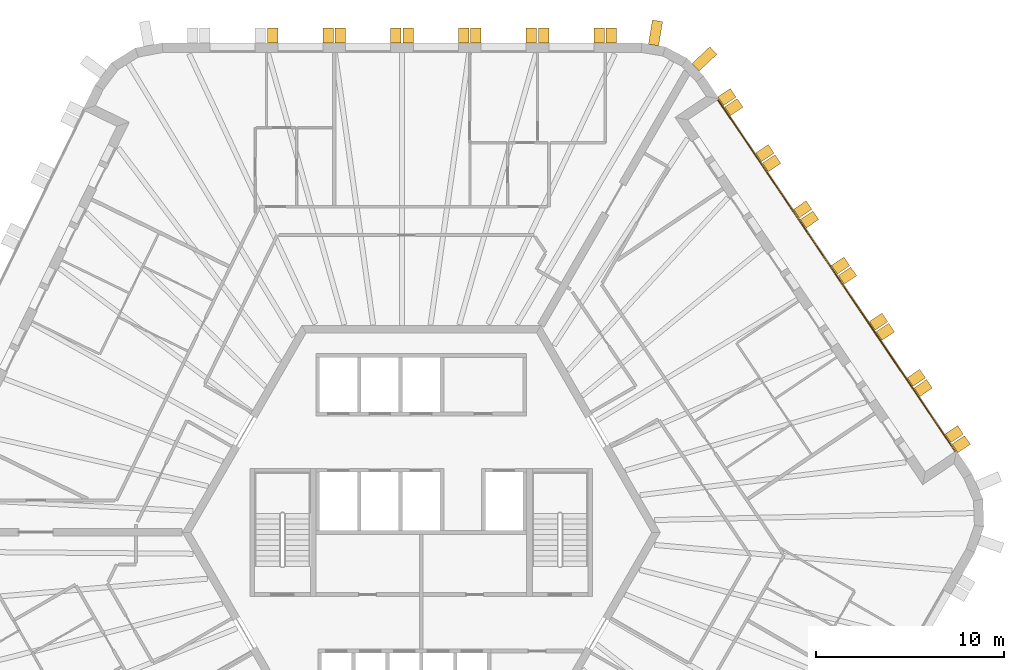
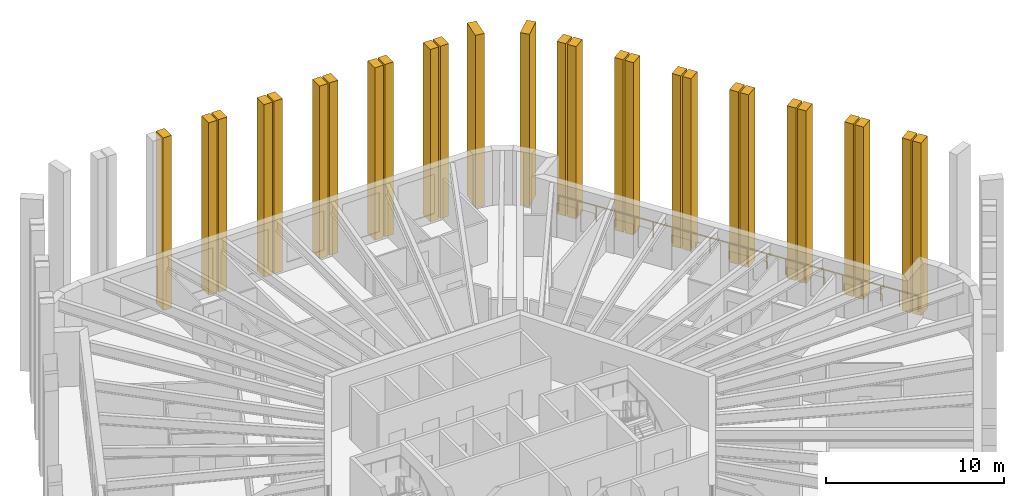
# One storey, part 13 of 13: 27 shading devices, 1 railing.
"""IFC4 building model written with IfcOpenShell, lengths in metres."""

from ifc_helpers import new_model, si_unit, direction, frame, origin, origin_2d, place, context, subcontext, project, spatial, polyline, circle, outline, extrude, material, layer, layer_set, type_object, element, save


model = new_model("IFC4")

# Units and contexts
model_context = context("Model", 3, precision=1e-05, world=origin(), true_north=direction((0.0, 1.0)))
body_context = subcontext(model_context, "Body", "Model", "MODEL_VIEW")
ifc_project = project(units=[si_unit("LENGTHUNIT", "METRE"), si_unit("AREAUNIT", "SQUARE_METRE"), si_unit("VOLUMEUNIT", "CUBIC_METRE"), si_unit("PLANEANGLEUNIT", "RADIAN"), si_unit("MASSUNIT", "GRAM", prefix="KILO")], contexts=[model_context])

# Site, building, storey
site_placement = place(None, origin())
site = spatial("IfcSite", under=ifc_project, at=site_placement, CompositionType="ELEMENT")
building_placement = place(site_placement, origin())
building = spatial("IfcBuilding", under=site, at=building_placement, Name="Tarnside Tower", CompositionType="ELEMENT")
storey_placement = place(building_placement, frame((0.0, 0.0, 256.199951171875)))
storey = spatial("IfcBuildingStorey", under=building, at=storey_placement, Name="L61", CompositionType="ELEMENT", Elevation=256.199951171875)

# Railing
ifc_material_1 = material(Name="Toughened glass", Category="glass")
railing_type = type_object("IfcRailingType", Name="Glass guard 1100", PredefinedType="GUARDRAIL", material=ifc_material_1)
railing_placement = place(storey_placement, frame((28.365234375, 4.299560546875, 0.0)))
element("IfcRailing", 1, at=railing_placement, inside=storey, type_object=railing_type, Name="Loggia guard L61 F6", PredefinedType="GUARDRAIL", context=body_context, shape_type="SweptSolid", body=[
    extrude(circle(Radius=0.030029296875, at=origin_2d()), frame((0.0, 0.0, 1.070068359375), z_axis=(-0.559195329741, 0.82903593601, 0.0), x_axis=(-0.82903593601, -0.559195329741, 0.0)), (0.0, 0.0, 1.0), 22.544677734375),
    extrude(circle(Radius=0.02490234375, at=origin_2d()), origin(), (0.0, 0.0, 1.0), 1.0400390625),
    extrude(circle(Radius=0.02490234375, at=origin_2d()), frame((-0.66357421875, 0.983642578125, 0.0)), (0.0, 0.0, 1.0), 1.0400390625),
    extrude(circle(Radius=0.02490234375, at=origin_2d()), frame((-1.3271484375, 1.967529296875, 0.0)), (0.0, 0.0, 1.0), 1.0400390625),
    extrude(circle(Radius=0.02490234375, at=origin_2d()), frame((-1.990478515625, 2.951171875, 0.0)), (0.0, 0.0, 1.0), 1.0400390625),
    extrude(circle(Radius=0.02490234375, at=origin_2d()), frame((-2.654052734375, 3.934814453125, 0.0)), (0.0, 0.0, 1.0), 1.0400390625),
    extrude(circle(Radius=0.02490234375, at=origin_2d()), frame((-3.317626953125, 4.91845703125, 0.0)), (0.0, 0.0, 1.0), 1.0400390625),
    extrude(circle(Radius=0.02490234375, at=origin_2d()), frame((-3.981201171875, 5.90234375, 0.0)), (0.0, 0.0, 1.0), 1.0400390625),
    extrude(circle(Radius=0.02490234375, at=origin_2d()), frame((-4.644775390625, 6.885986328125, 0.0)), (0.0, 0.0, 1.0), 1.0400390625),
    extrude(circle(Radius=0.02490234375, at=origin_2d()), frame((-5.30810546875, 7.86962890625, 0.0)), (0.0, 0.0, 1.0), 1.0400390625),
    extrude(circle(Radius=0.02490234375, at=origin_2d()), frame((-5.9716796875, 8.853271484375, 0.0)), (0.0, 0.0, 1.0), 1.0400390625),
    extrude(circle(Radius=0.02490234375, at=origin_2d()), frame((-6.63525390625, 9.837158203125, 0.0)), (0.0, 0.0, 1.0), 1.0400390625),
    extrude(circle(Radius=0.02490234375, at=origin_2d()), frame((-7.298828125, 10.82080078125, 0.0)), (0.0, 0.0, 1.0), 1.0400390625),
    extrude(circle(Radius=0.02490234375, at=origin_2d()), frame((-7.962158203125, 11.804443359375, 0.0)), (0.0, 0.0, 1.0), 1.0400390625),
    extrude(circle(Radius=0.02490234375, at=origin_2d()), frame((-8.625732421875, 12.7880859375, 0.0)), (0.0, 0.0, 1.0), 1.0400390625),
    extrude(circle(Radius=0.02490234375, at=origin_2d()), frame((-9.289306640625, 13.77197265625, 0.0)), (0.0, 0.0, 1.0), 1.0400390625),
    extrude(circle(Radius=0.02490234375, at=origin_2d()), frame((-9.952880859375, 14.755615234375, 0.0)), (0.0, 0.0, 1.0), 1.0400390625),
    extrude(circle(Radius=0.02490234375, at=origin_2d()), frame((-10.616455078125, 15.7392578125, 0.0)), (0.0, 0.0, 1.0), 1.0400390625),
    extrude(circle(Radius=0.02490234375, at=origin_2d()), frame((-11.27978515625, 16.722900390625, 0.0)), (0.0, 0.0, 1.0), 1.0400390625),
    extrude(circle(Radius=0.02490234375, at=origin_2d()), frame((-11.943359375, 17.706787109375, 0.0)), (0.0, 0.0, 1.0), 1.0400390625),
    extrude(circle(Radius=0.02490234375, at=origin_2d()), frame((-12.60693359375, 18.6904296875, 0.0)), (0.0, 0.0, 1.0), 1.0400390625),
])

# Shading devices
ifc_material_2 = material(Name="Concrete C50/60 white precast", Category="concrete")
ifc_layer_1 = layer(ifc_material_2, 0.550048828125)
ifc_layer_set_1 = layer_set([ifc_layer_1], Name="Precast fin 550 x 1300")
shading_device_type_1 = type_object("IfcShadingDeviceType", Name="Precast fin 550 x 1300", PredefinedType="USERDEFINED", material=ifc_layer_set_1)
for number, where, z_axis, x_axis, name in (
    (2, (14.571044921875, 24.7109375, -0.300048828125), (0.686241637865, -0.727373641577, 0.0), (0.727373641577, 0.686241637865, 0.0), "Precast fin"),
    (3, (12.33837890625, 25.89794921875, -0.300048828125), (0.986761532114, -0.1621779231, 0.0), (0.1621779231, 0.986761532114, 0.0), "Precast fin"),
):
    element("IfcShadingDevice", number, at=place(storey_placement, frame(where, z_axis=z_axis, x_axis=x_axis)), inside=storey, type_object=shading_device_type_1, Name=name, ObjectType="FIN", PredefinedType="USERDEFINED", context=body_context, shape_type="SweptSolid", body=[
        extrude(outline(polyline([(0.0, 0.0), (1.300048828125, 0.0), (1.300048828125, 11.85009765625), (0.0, 11.85009765625), (0.0, 0.0)])), frame((0.0, 0.0, -0.27490234375)), (0.0, 0.0, 1.0), 0.550048828125),
    ])
ifc_layer_2 = layer(ifc_material_2, 0.550048828125)
ifc_layer_set_2 = layer_set([ifc_layer_2], Name="Precast fin 550 x 800")
shading_device_type_2 = type_object("IfcShadingDeviceType", Name="Precast fin 550 x 800", PredefinedType="USERDEFINED", material=ifc_layer_set_2)
for number, where, z_axis, x_axis, name in (
    (4, (10.10009765625, 26.0, -0.300048828125), (1.0, 0.0, 0.0), (0.0, 1.0, 0.0), "Precast fin"),
    (5, (9.4501953125, 26.0, -0.300048828125), (1.0, 0.0, 0.0), (0.0, 1.0, 0.0), "Precast fin"),
    (6, (6.500244140625, 26.0, -0.300048828125), (1.0, 0.0, 0.0), (0.0, 1.0, 0.0), "Precast fin"),
    (7, (5.85009765625, 26.0, -0.300048828125), (1.0, 0.0, 0.0), (0.0, 1.0, 0.0), "Precast fin"),
    (8, (2.900146484375, 26.0, -0.300048828125), (1.0, 0.0, 0.0), (0.0, 1.0, 0.0), "Precast fin"),
    (9, (2.250244140625, 26.0, -0.300048828125), (1.0, 0.0, 0.0), (0.0, 1.0, 0.0), "Precast fin"),
    (10, (-0.69970703125, 26.0, -0.300048828125), (1.0, 0.0, 0.0), (0.0, 1.0, 0.0), "Precast fin"),
    (11, (-1.349853515625, 26.0, -0.300048828125), (1.0, 0.0, 0.0), (0.0, 1.0, 0.0), "Precast fin"),
    (12, (-4.2998046875, 26.0, -0.300048828125), (1.0, 0.0, 0.0), (0.0, 1.0, 0.0), "Precast fin"),
    (13, (-4.94970703125, 26.0, -0.300048828125), (1.0, 0.0, 0.0), (0.0, 1.0, 0.0), "Precast fin"),
    (14, (-7.89990234375, 26.0, -0.300048828125), (1.0, 0.0, 0.0), (0.0, 1.0, 0.0), "Precast fin"),
    (15, (28.34912109375, 4.466552734375, -0.300048828125), (0.559192903471, -0.829037572555, 0.0), (0.829037572555, 0.559192903471, 0.0), "Precast fin"),
    (16, (27.985595703125, 5.00537109375, -0.300048828125), (0.559192903471, -0.829037572555, 0.0), (0.829037572555, 0.559192903471, 0.0), "Precast fin"),
    (17, (26.3359375, 7.450927734375, -0.300048828125), (0.559192903471, -0.829037572555, 0.0), (0.829037572555, 0.559192903471, 0.0), "Precast fin"),
    (18, (25.972412109375, 7.98974609375, -0.300048828125), (0.559192903471, -0.829037572555, 0.0), (0.829037572555, 0.559192903471, 0.0), "Precast fin"),
    (19, (24.32275390625, 10.435546875, -0.300048828125), (0.559192903471, -0.829037572555, 0.0), (0.829037572555, 0.559192903471, 0.0), "Precast fin"),
    (20, (23.95947265625, 10.974365234375, -0.300048828125), (0.559192903471, -0.829037572555, 0.0), (0.829037572555, 0.559192903471, 0.0), "Precast fin"),
    (21, (22.309814453125, 13.419921875, -0.300048828125), (0.559192903471, -0.829037572555, 0.0), (0.829037572555, 0.559192903471, 0.0), "Precast fin"),
    (22, (21.9462890625, 13.958984375, -0.300048828125), (0.559192903471, -0.829037572555, 0.0), (0.829037572555, 0.559192903471, 0.0), "Precast fin"),
    (23, (20.296630859375, 16.404541015625, -0.300048828125), (0.559192903471, -0.829037572555, 0.0), (0.829037572555, 0.559192903471, 0.0), "Precast fin"),
    (24, (19.93310546875, 16.943359375, -0.300048828125), (0.559192903471, -0.829037572555, 0.0), (0.829037572555, 0.559192903471, 0.0), "Precast fin"),
    (25, (18.283447265625, 19.38916015625, -0.300048828125), (0.559192903471, -0.829037572555, 0.0), (0.829037572555, 0.559192903471, 0.0), "Precast fin"),
    (26, (17.920166015625, 19.927978515625, -0.300048828125), (0.559192903471, -0.829037572555, 0.0), (0.829037572555, 0.559192903471, 0.0), "Precast fin"),
    (27, (16.2705078125, 22.37353515625, -0.300048828125), (0.559192903471, -0.829037572555, 0.0), (0.829037572555, 0.559192903471, 0.0), "Precast fin"),
    (28, (15.906982421875, 22.91259765625, -0.300048828125), (0.559192903471, -0.829037572555, 0.0), (0.829037572555, 0.559192903471, 0.0), "Precast fin"),
):
    element("IfcShadingDevice", number, at=place(storey_placement, frame(where, z_axis=z_axis, x_axis=x_axis)), inside=storey, type_object=shading_device_type_2, Name=name, ObjectType="FIN", PredefinedType="USERDEFINED", context=body_context, shape_type="SweptSolid", body=[
        extrude(outline(polyline([(0.0, 0.0), (0.800048828125, 0.0), (0.800048828125, 11.85009765625), (0.0, 11.85009765625), (0.0, 0.0)])), frame((0.0, 0.0, -0.27490234375)), (0.0, 0.0, 1.0), 0.550048828125),
    ])

save(model, "model.ifc")
